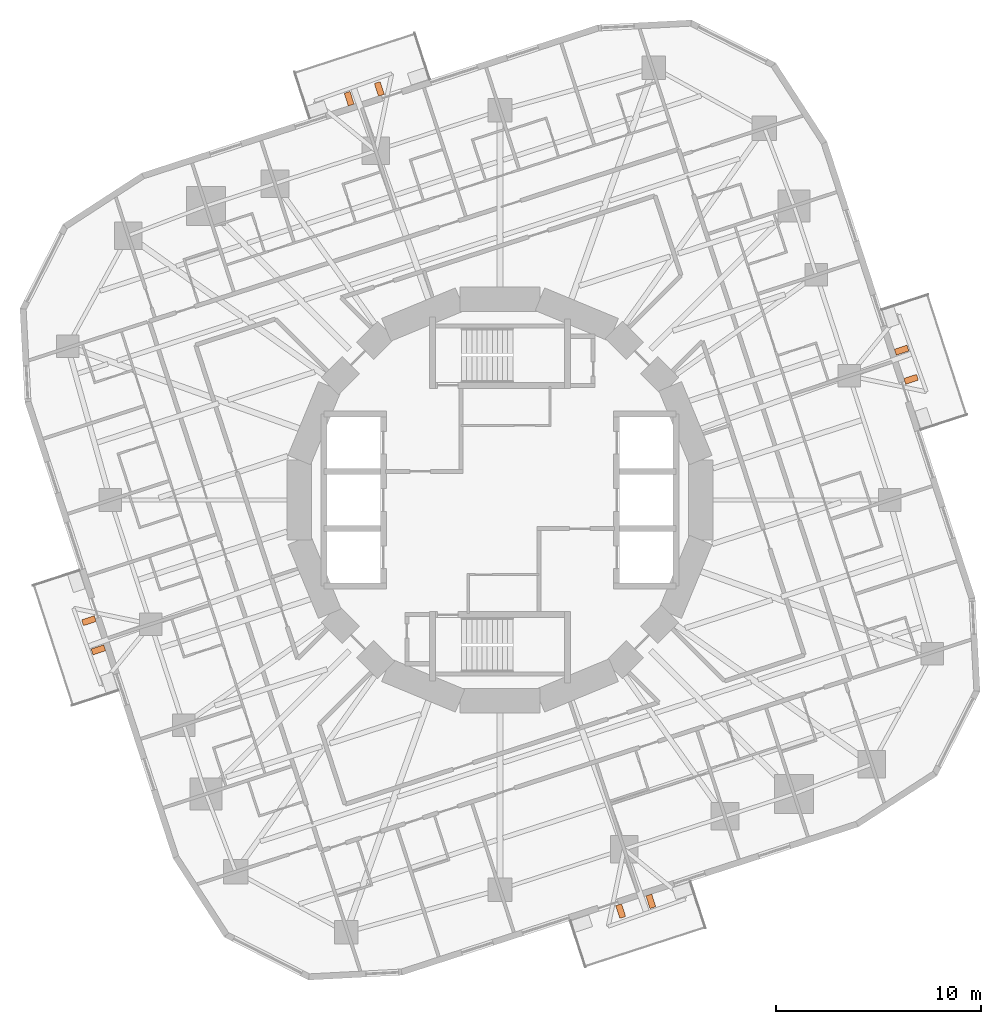
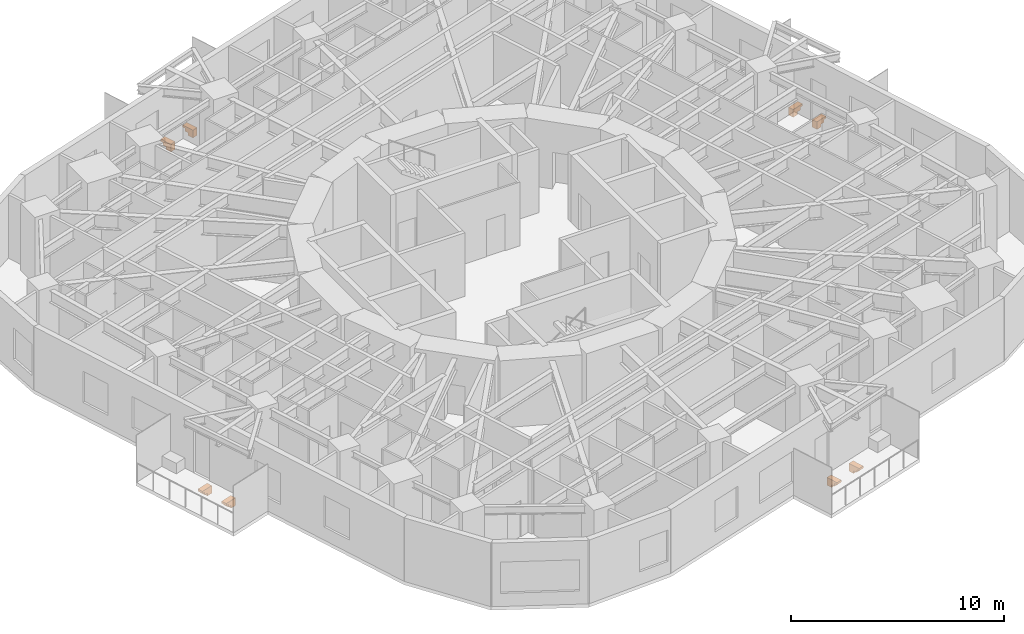
# One storey, part 13 of 13: 8 proxies.
"""IFC4 building model written with IfcOpenShell, lengths in metres."""

from ifc_helpers import new_model, si_unit, direction, frame, origin, place, context, subcontext, project, spatial, polyline, outline, extrude, material, type_object, element, save


model = new_model("IFC4")

# Units and contexts
model_context = context("Model", 3, precision=1e-05, world=origin(), true_north=direction((0.0, 1.0)))
body_context = subcontext(model_context, "Body", "Model", "MODEL_VIEW")
ifc_project = project(units=[si_unit("LENGTHUNIT", "METRE"), si_unit("AREAUNIT", "SQUARE_METRE"), si_unit("VOLUMEUNIT", "CUBIC_METRE"), si_unit("PLANEANGLEUNIT", "RADIAN"), si_unit("MASSUNIT", "GRAM", prefix="KILO")], contexts=[model_context])

# Site, building, storey
site_placement = place(None, origin())
site = spatial("IfcSite", under=ifc_project, at=site_placement, CompositionType="ELEMENT")
building_placement = place(site_placement, origin())
building = spatial("IfcBuilding", under=site, at=building_placement, Name="Nakasero Lantern House", CompositionType="ELEMENT")
storey_placement = place(building_placement, frame((0.0, 0.0, 161.050048828125)))
storey = spatial("IfcBuildingStorey", under=building, at=storey_placement, Name="L39", CompositionType="ELEMENT", Elevation=161.050048828125)

# Proxies
ifc_material = material(Name="Concrete C40/50 precast", Category="concrete")
building_element_proxy_type = type_object("IfcBuildingElementProxyType", Name="Balcony bracket 300", PredefinedType="USERDEFINED", material=ifc_material)
for number, where, z_axis, x_axis, name in (
    (1, (19.777099609375, 5.795166015625, -0.199951171875), (0.0, 0.0, 1.0), (0.951056516, 0.309016994, 0.0), "Balcony bracket L39 0A"),
    (2, (19.313720703125, 7.2216796875, -0.199951171875), (0.0, 0.0, 1.0), (0.951056516, 0.309016994, 0.0), "Balcony bracket L39 0B"),
    (3, (-5.795166015625, 19.777099609375, -0.199951171875), (0.0, 0.0, 1.0), (-0.309016994, 0.951056516, 0.0), "Balcony bracket L39 1A"),
    (4, (-7.269287109375, 19.298095703125, -0.199951171875), (0.0, 0.0, 1.0), (-0.309016994, 0.951056516, 0.0), "Balcony bracket L39 1B"),
    (5, (-19.777099609375, -5.795166015625, -0.199951171875), (0.0, 0.0, 1.0), (-0.951056516, -0.309016994, 0.0), "Balcony bracket L39 2A"),
    (6, (-19.313720703125, -7.2216796875, -0.199951171875), (0.0, 0.0, 1.0), (-0.951056516, -0.309016994, 0.0), "Balcony bracket L39 2B"),
    (7, (5.795166015625, -19.777099609375, -0.199951171875), (0.0, 0.0, 1.0), (0.309016994, -0.951056516, 0.0), "Balcony bracket L39 3A"),
    (8, (7.269287109375, -19.298095703125, -0.199951171875), (0.0, 0.0, 1.0), (0.309016994, -0.951056516, 0.0), "Balcony bracket L39 3B"),
):
    element("IfcBuildingElementProxy", number, at=place(storey_placement, frame(where, z_axis=z_axis, x_axis=x_axis)), inside=storey, type_object=building_element_proxy_type, Name=name, ObjectType="BALCONY BRACKET", PredefinedType="USERDEFINED", context=body_context, shape_type="SweptSolid", body=[
        extrude(outline(polyline([(0.0, 0.0), (0.64990234375, 0.0), (0.64990234375, -0.1201171875), (0.5, -0.1201171875), (0.5, -0.280029296875), (0.300048828125, -0.280029296875), (0.300048828125, -0.43994140625), (0.0, -0.43994140625), (0.0, 0.0)])), frame((0.0, 0.14990234375, 0.0), z_axis=(0.0, -1.0, 0.0), x_axis=(1.0, 0.0, 0.0)), (0.0, 0.0, 1.0), 0.300048828125),
    ])

save(model, "model.ifc")
